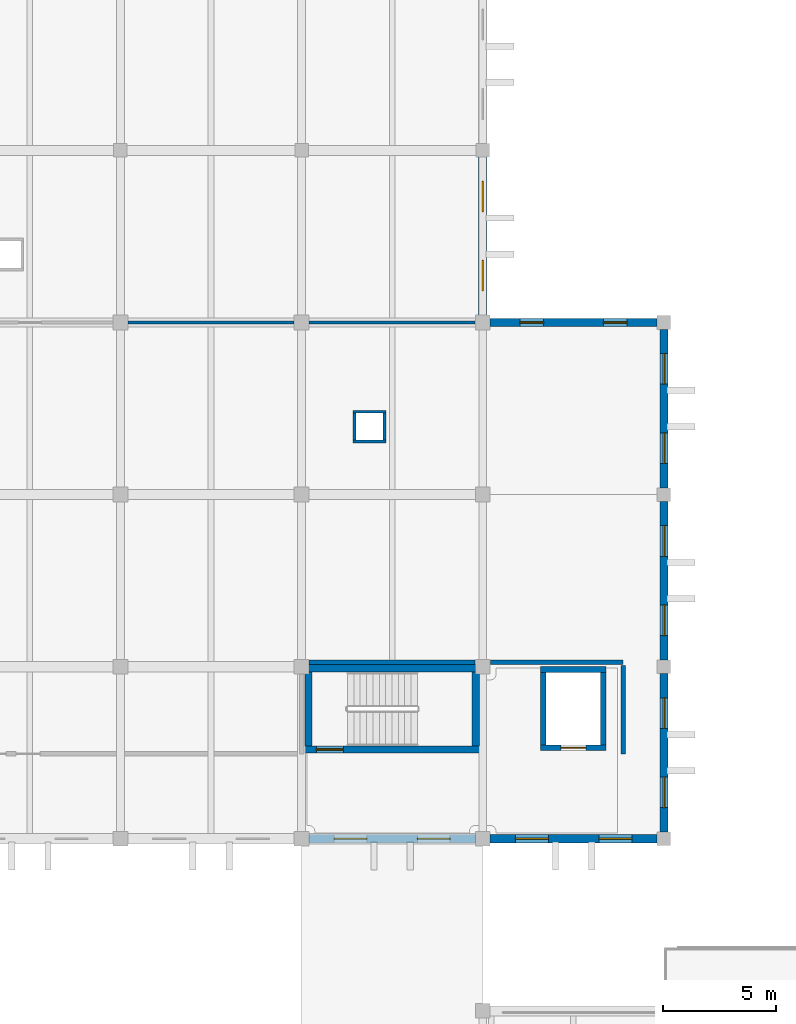
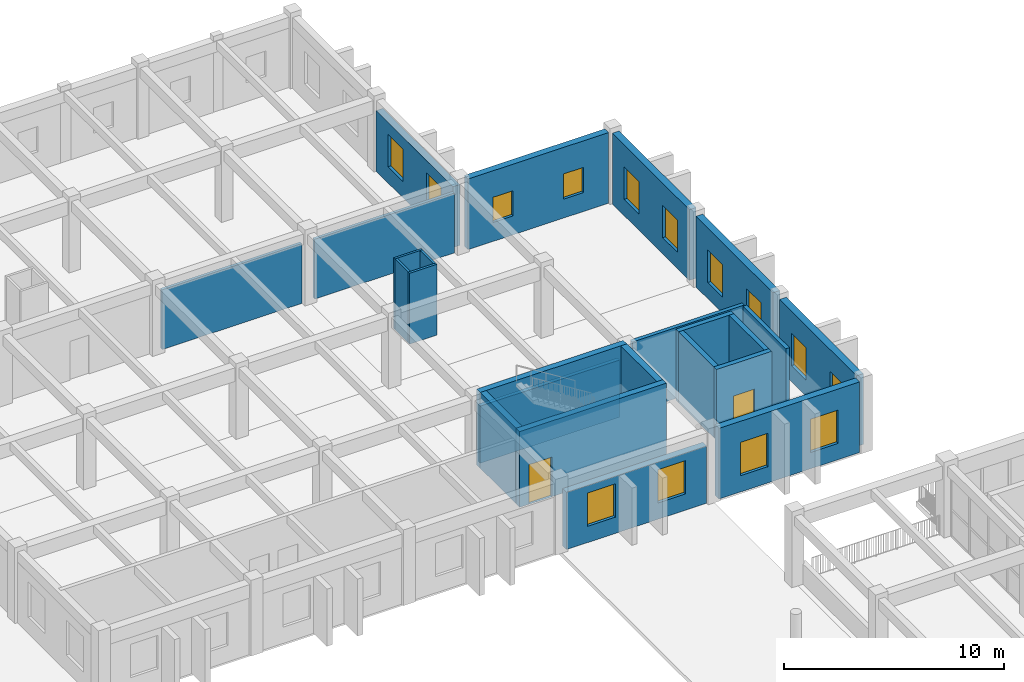
# One storey, part 39 of 63: 24 walls, 14 windows, 2 doors, 16 openings.
"""IFC4 building model written with IfcOpenShell, lengths in metres."""

from ifc_helpers import new_model, si_unit, direction, frame, frame_2d, origin, place, context, subcontext, project, spatial, rectangle, extrude, material, layer, layer_set, type_object, element, fill, save


model = new_model("IFC4")

# Units and contexts
model_context = context("Model", 3, precision=1e-05, world=origin(), true_north=direction((0.0, 1.0)))
body_context = subcontext(model_context, "Body", "Model", "MODEL_VIEW")
ifc_project = project(units=[si_unit("LENGTHUNIT", "METRE"), si_unit("AREAUNIT", "SQUARE_METRE"), si_unit("VOLUMEUNIT", "CUBIC_METRE"), si_unit("PLANEANGLEUNIT", "RADIAN"), si_unit("MASSUNIT", "GRAM", prefix="KILO")], contexts=[model_context])

# Site, building, storey
site_placement = place(None, origin())
site = spatial("IfcSite", under=ifc_project, at=site_placement, CompositionType="ELEMENT")
building_placement = place(site_placement, origin())
building = spatial("IfcBuilding", under=site, at=building_placement, Name="Zantavel Square City Hall", CompositionType="ELEMENT")
storey_placement = place(building_placement, frame((0.0, 0.0, 14.699951171875)))
storey = spatial("IfcBuildingStorey", under=building, at=storey_placement, Name="L04", CompositionType="ELEMENT", Elevation=14.699951171875)

# Wall, opening, door
ifc_material_1 = material(Name="Concrete C40/50", Category="concrete")
ifc_layer_1 = layer(ifc_material_1, 0.320068359375, Name="Concrete C40/50")
ifc_layer_set_1 = layer_set([ifc_layer_1], Name="Concrete C40/50")
wall_type_1 = type_object("IfcWallType", Name="Core Shear Wall RC 320mm C40/50", PredefinedType="SHEAR", material=ifc_layer_set_1)
wall_1_placement = place(storey_placement, frame((55.85009765625, 79.93994140625, 0.0), z_axis=(0.0, 0.0, 1.0), x_axis=(-1.0, 0.0, 0.0)))
wall_1 = element("IfcWall", 1, at=wall_1_placement, inside=storey, type_object=wall_type_1, Name="L04 Exit Stair 1 North-West Core Shear Wall South", PredefinedType="SHEAR", context=body_context, shape_type="SweptSolid", body=[
    extrude(rectangle(XDim=7.7001953125, YDim=0.320068359375, at=frame_2d((3.85009765625, 0.0))), origin(), (0.0, 0.0, 1.0), 4.199951171875),
])
opening_1_placement = place(wall_1_placement, frame((6.0, 0.0, 0.0)))
opening_1 = element("IfcOpeningElement", 2, at=opening_1_placement, cuts=wall_1, Name="Opening SD-005", PredefinedType="OPENING", context=body_context, shape_type="SweptSolid", body=[
    extrude(rectangle(XDim=1.199951171875, YDim=2.199951171875, at=frame_2d((0.60009765625, 1.10009765625))), frame((0.0, 0.169921875, 0.0), z_axis=(0.0, -1.0, 0.0), x_axis=(1.0, 0.0, 0.0)), (0.0, 0.0, 1.0), 0.340087890625),
])
ifc_material_2 = material(Name="Steel ASTM A500 Grade B", Category="steel")
door_type_1 = type_object("IfcDoorType", Name="Enclosed Exit Stairwell Fire Door 1200x2200 FD90S", OperationType="NOTDEFINED", PredefinedType="DOOR", material=ifc_material_2)
door_1_placement = place(opening_1_placement, origin())
door_1 = element("IfcDoor", 3, at=door_1_placement, inside=storey, type_object=door_type_1, Name="L04 Exit Stair 1 North-West Core Fire Door", OperationType="SINGLE_SWING_LEFT", OverallHeight=2.199951171875, OverallWidth=1.199951171875, PredefinedType="DOOR", context=body_context, shape_type="SweptSolid", body=[
    extrude(rectangle(XDim=1.199951171875, YDim=2.199951171875, at=frame_2d((0.60009765625, 1.10009765625))), frame((0.0, 0.02490234375, 0.0), z_axis=(0.0, -1.0, 0.0), x_axis=(1.0, 0.0, 0.0)), (0.0, 0.0, 1.0), 0.050048828125),
])
fill(opening_1, door_1)

# Walls
wall_2_placement = place(storey_placement, frame((48.31005859375, 80.10009765625, 0.0), z_axis=(0.0, 0.0, 1.0), x_axis=(0.0, 1.0, 0.0)))
element("IfcWall", 4, at=wall_2_placement, inside=storey, type_object=wall_type_1, Name="L04 Exit Stair 1 North-West Core Shear Wall West", PredefinedType="SHEAR", context=body_context, shape_type="SweptSolid", body=[
    extrude(rectangle(XDim=3.27001953125, YDim=0.320068359375, at=frame_2d((1.635009765625, 0.0))), origin(), (0.0, 0.0, 1.0), 4.199951171875),
])
wall_3_placement = place(storey_placement, frame((48.14990234375, 83.530029296875, 0.0), z_axis=(0.0, 0.0, 1.0), x_axis=(1.0, 0.0, 0.0)))
element("IfcWall", 5, at=wall_3_placement, inside=storey, type_object=wall_type_1, Name="L04 Exit Stair 1 North-West Core Shear Wall North", PredefinedType="SHEAR", context=body_context, shape_type="SweptSolid", body=[
    extrude(rectangle(XDim=7.7001953125, YDim=0.320068359375, at=frame_2d((3.85009765625, 0.0))), origin(), (0.0, 0.0, 1.0), 4.199951171875),
])
wall_4_placement = place(storey_placement, frame((55.68994140625, 83.3701171875, 0.0), z_axis=(0.0, 0.0, 1.0), x_axis=(0.0, -1.0, 0.0)))
element("IfcWall", 6, at=wall_4_placement, inside=storey, type_object=wall_type_1, Name="L04 Exit Stair 1 North-West Core Shear Wall East", PredefinedType="SHEAR", context=body_context, shape_type="SweptSolid", body=[
    extrude(rectangle(XDim=3.27001953125, YDim=0.320068359375, at=frame_2d((1.635009765625, 0.0))), origin(), (0.0, 0.0, 1.0), 4.199951171875),
])

# Wall, openings, windows
ifc_material_3 = material(Name="Cantera volcanic tuff stone", Category="masonry")
ifc_layer_2 = layer(ifc_material_3, 0.360107421875, Name="Cantera volcanic tuff stone")
ifc_layer_set_2 = layer_set([ifc_layer_2], Name="Cantera volcanic tuff stone")
wall_type_2 = type_object("IfcWallType", Name="Courtyard Cantera Facade Wall 360mm", PredefinedType="STANDARD", material=ifc_layer_set_2)
wall_5_placement = place(storey_placement, frame((56.0, 106.10009765625, 0.0), z_axis=(0.0, 0.0, 1.0), x_axis=(0.0, -1.0, 0.0)))
wall_5 = element("IfcWall", 7, at=wall_5_placement, inside=storey, type_object=wall_type_2, Name="L04 Exterior Wall EW-L04-030", PredefinedType="STANDARD", context=body_context, shape_type="SweptSolid", body=[
    extrude(rectangle(XDim=6.97509765625, YDim=0.360107421875, at=frame_2d((3.487548828125, 0.0))), origin(), (0.0, 0.0, 1.0), 3.3701171875),
])
opening_2_placement = place(wall_5_placement, frame((1.068603515625, 0.0, 0.89990234375)))
opening_2 = element("IfcOpeningElement", 8, at=opening_2_placement, cuts=wall_5, Name="Opening W-438", PredefinedType="OPENING", context=body_context, shape_type="SweptSolid", body=[
    extrude(rectangle(XDim=1.35009765625, YDim=1.800048828125, at=frame_2d((0.675048828125, 0.89990234375))), frame((0.0, 0.18994140625, 0.0), z_axis=(0.0, -1.0, 0.0), x_axis=(1.0, 0.0, 0.0)), (0.0, 0.0, 1.0), 0.380126953125),
])
opening_3_placement = place(wall_5_placement, frame((4.55615234375, 0.0, 0.89990234375)))
opening_3 = element("IfcOpeningElement", 9, at=opening_3_placement, cuts=wall_5, Name="Opening W-439", PredefinedType="OPENING", context=body_context, shape_type="SweptSolid", body=[
    extrude(rectangle(XDim=1.35009765625, YDim=1.800048828125, at=frame_2d((0.675048828125, 0.89990234375))), frame((0.0, 0.18994140625, 0.0), z_axis=(0.0, -1.0, 0.0), x_axis=(1.0, 0.0, 0.0)), (0.0, 0.0, 1.0), 0.380126953125),
])
ifc_material_4 = material(Name="Tempered safety glass low-E double glazing", Category="glass")
window_type_1 = type_object("IfcWindowType", Name="Window Comptroller East 1350x1800", PartitioningType="DOUBLE_PANEL_HORIZONTAL", PredefinedType="WINDOW", material=ifc_material_4)
window_1_placement = place(opening_2_placement, origin())
window_1 = element("IfcWindow", 10, at=window_1_placement, inside=storey, type_object=window_type_1, Name="L04 Window W-438", OverallHeight=1.800048828125, OverallWidth=1.35009765625, PartitioningType="DOUBLE_PANEL_HORIZONTAL", PredefinedType="WINDOW", context=body_context, shape_type="SweptSolid", body=[
    extrude(rectangle(XDim=1.35009765625, YDim=1.800048828125, at=frame_2d((0.675048828125, 0.89990234375))), frame((0.0, 0.030029296875, 0.0), z_axis=(0.0, -1.0, 0.0), x_axis=(1.0, 0.0, 0.0)), (0.0, 0.0, 1.0), 0.06005859375),
])
fill(opening_2, window_1)
window_2_placement = place(opening_3_placement, origin())
window_2 = element("IfcWindow", 11, at=window_2_placement, inside=storey, type_object=window_type_1, Name="L04 Window W-439", OverallHeight=1.800048828125, OverallWidth=1.35009765625, PartitioningType="DOUBLE_PANEL_HORIZONTAL", PredefinedType="WINDOW", context=body_context, shape_type="SweptSolid", body=[
    extrude(rectangle(XDim=1.35009765625, YDim=1.800048828125, at=frame_2d((0.675048828125, 0.89990234375))), frame((0.0, 0.030029296875, 0.0), z_axis=(0.0, -1.0, 0.0), x_axis=(1.0, 0.0, 0.0)), (0.0, 0.0, 1.0), 0.06005859375),
])
fill(opening_3, window_2)

wall_6_placement = place(storey_placement, frame((64.0, 98.5, 0.0), z_axis=(0.0, 0.0, 1.0), x_axis=(0.0, -1.0, 0.0)))
wall_6 = element("IfcWall", 12, at=wall_6_placement, inside=storey, type_object=wall_type_2, Name="L04 Exterior Wall EW-L04-032", PredefinedType="STANDARD", context=body_context, shape_type="SweptSolid", body=[
    extrude(rectangle(XDim=7.0, YDim=0.360107421875, at=frame_2d((3.5, 0.0))), origin(), (0.0, 0.0, 1.0), 3.920166015625),
])
opening_4_placement = place(wall_6_placement, frame((1.074951171875, 0.0, 0.89990234375)))
opening_4 = element("IfcOpeningElement", 13, at=opening_4_placement, cuts=wall_6, Name="Opening W-442", PredefinedType="OPENING", context=body_context, shape_type="SweptSolid", body=[
    extrude(rectangle(XDim=1.35009765625, YDim=1.800048828125, at=frame_2d((0.675048828125, 0.89990234375))), frame((0.0, 0.18994140625, 0.0), z_axis=(0.0, -1.0, 0.0), x_axis=(1.0, 0.0, 0.0)), (0.0, 0.0, 1.0), 0.380126953125),
])
opening_5_placement = place(wall_6_placement, frame((4.574951171875, 0.0, 0.89990234375)))
opening_5 = element("IfcOpeningElement", 14, at=opening_5_placement, cuts=wall_6, Name="Opening W-443", PredefinedType="OPENING", context=body_context, shape_type="SweptSolid", body=[
    extrude(rectangle(XDim=1.35009765625, YDim=1.800048828125, at=frame_2d((0.675048828125, 0.89990234375))), frame((0.0, 0.18994140625, 0.0), z_axis=(0.0, -1.0, 0.0), x_axis=(1.0, 0.0, 0.0)), (0.0, 0.0, 1.0), 0.380126953125),
])
window_3_placement = place(opening_4_placement, origin())
window_3 = element("IfcWindow", 15, at=window_3_placement, inside=storey, type_object=window_type_1, Name="L04 Window W-442", OverallHeight=1.800048828125, OverallWidth=1.35009765625, PartitioningType="DOUBLE_PANEL_HORIZONTAL", PredefinedType="WINDOW", context=body_context, shape_type="SweptSolid", body=[
    extrude(rectangle(XDim=1.35009765625, YDim=1.800048828125, at=frame_2d((0.675048828125, 0.89990234375))), frame((0.0, 0.030029296875, 0.0), z_axis=(0.0, -1.0, 0.0), x_axis=(1.0, 0.0, 0.0)), (0.0, 0.0, 1.0), 0.06005859375),
])
fill(opening_4, window_3)
window_4_placement = place(opening_5_placement, origin())
window_4 = element("IfcWindow", 16, at=window_4_placement, inside=storey, type_object=window_type_1, Name="L04 Window W-443", OverallHeight=1.800048828125, OverallWidth=1.35009765625, PartitioningType="DOUBLE_PANEL_HORIZONTAL", PredefinedType="WINDOW", context=body_context, shape_type="SweptSolid", body=[
    extrude(rectangle(XDim=1.35009765625, YDim=1.800048828125, at=frame_2d((0.675048828125, 0.89990234375))), frame((0.0, 0.030029296875, 0.0), z_axis=(0.0, -1.0, 0.0), x_axis=(1.0, 0.0, 0.0)), (0.0, 0.0, 1.0), 0.06005859375),
])
fill(opening_5, window_4)

wall_7_placement = place(storey_placement, frame((64.0, 90.89990234375, 0.0), z_axis=(0.0, 0.0, 1.0), x_axis=(0.0, -1.0, 0.0)))
wall_7 = element("IfcWall", 17, at=wall_7_placement, inside=storey, type_object=wall_type_2, Name="L04 Exterior Wall EW-L04-033", PredefinedType="STANDARD", context=body_context, shape_type="SweptSolid", body=[
    extrude(rectangle(XDim=7.0, YDim=0.360107421875, at=frame_2d((3.5, 0.0))), origin(), (0.0, 0.0, 1.0), 3.920166015625),
])
opening_6_placement = place(wall_7_placement, frame((1.074951171875, 0.0, 0.89990234375)))
opening_6 = element("IfcOpeningElement", 18, at=opening_6_placement, cuts=wall_7, Name="Opening W-444", PredefinedType="OPENING", context=body_context, shape_type="SweptSolid", body=[
    extrude(rectangle(XDim=1.35009765625, YDim=1.800048828125, at=frame_2d((0.675048828125, 0.89990234375))), frame((0.0, 0.18994140625, 0.0), z_axis=(0.0, -1.0, 0.0), x_axis=(1.0, 0.0, 0.0)), (0.0, 0.0, 1.0), 0.380126953125),
])
opening_7_placement = place(wall_7_placement, frame((4.574951171875, 0.0, 0.89990234375)))
opening_7 = element("IfcOpeningElement", 19, at=opening_7_placement, cuts=wall_7, Name="Opening W-445", PredefinedType="OPENING", context=body_context, shape_type="SweptSolid", body=[
    extrude(rectangle(XDim=1.35009765625, YDim=1.800048828125, at=frame_2d((0.675048828125, 0.89990234375))), frame((0.0, 0.18994140625, 0.0), z_axis=(0.0, -1.0, 0.0), x_axis=(1.0, 0.0, 0.0)), (0.0, 0.0, 1.0), 0.380126953125),
])
window_5_placement = place(opening_6_placement, origin())
window_5 = element("IfcWindow", 20, at=window_5_placement, inside=storey, type_object=window_type_1, Name="L04 Window W-444", OverallHeight=1.800048828125, OverallWidth=1.35009765625, PartitioningType="DOUBLE_PANEL_HORIZONTAL", PredefinedType="WINDOW", context=body_context, shape_type="SweptSolid", body=[
    extrude(rectangle(XDim=1.35009765625, YDim=1.800048828125, at=frame_2d((0.675048828125, 0.89990234375))), frame((0.0, 0.030029296875, 0.0), z_axis=(0.0, -1.0, 0.0), x_axis=(1.0, 0.0, 0.0)), (0.0, 0.0, 1.0), 0.06005859375),
])
fill(opening_6, window_5)
window_6_placement = place(opening_7_placement, origin())
window_6 = element("IfcWindow", 21, at=window_6_placement, inside=storey, type_object=window_type_1, Name="L04 Window W-445", OverallHeight=1.800048828125, OverallWidth=1.35009765625, PartitioningType="DOUBLE_PANEL_HORIZONTAL", PredefinedType="WINDOW", context=body_context, shape_type="SweptSolid", body=[
    extrude(rectangle(XDim=1.35009765625, YDim=1.800048828125, at=frame_2d((0.675048828125, 0.89990234375))), frame((0.0, 0.030029296875, 0.0), z_axis=(0.0, -1.0, 0.0), x_axis=(1.0, 0.0, 0.0)), (0.0, 0.0, 1.0), 0.06005859375),
])
fill(opening_7, window_6)

wall_8_placement = place(storey_placement, frame((64.0, 83.300048828125, 0.0), z_axis=(0.0, 0.0, 1.0), x_axis=(0.0, -1.0, 0.0)))
wall_8 = element("IfcWall", 22, at=wall_8_placement, inside=storey, type_object=wall_type_2, Name="L04 Exterior Wall EW-L04-034", PredefinedType="STANDARD", context=body_context, shape_type="SweptSolid", body=[
    extrude(rectangle(XDim=7.0, YDim=0.360107421875, at=frame_2d((3.5, 0.0))), origin(), (0.0, 0.0, 1.0), 3.920166015625),
])
opening_8_placement = place(wall_8_placement, frame((1.074951171875, 0.0, 0.89990234375)))
opening_8 = element("IfcOpeningElement", 23, at=opening_8_placement, cuts=wall_8, Name="Opening W-446", PredefinedType="OPENING", context=body_context, shape_type="SweptSolid", body=[
    extrude(rectangle(XDim=1.35009765625, YDim=1.800048828125, at=frame_2d((0.675048828125, 0.89990234375))), frame((0.0, 0.18994140625, 0.0), z_axis=(0.0, -1.0, 0.0), x_axis=(1.0, 0.0, 0.0)), (0.0, 0.0, 1.0), 0.380126953125),
])
opening_9_placement = place(wall_8_placement, frame((4.574951171875, 0.0, 0.89990234375)))
opening_9 = element("IfcOpeningElement", 24, at=opening_9_placement, cuts=wall_8, Name="Opening W-447", PredefinedType="OPENING", context=body_context, shape_type="SweptSolid", body=[
    extrude(rectangle(XDim=1.35009765625, YDim=1.800048828125, at=frame_2d((0.675048828125, 0.89990234375))), frame((0.0, 0.18994140625, 0.0), z_axis=(0.0, -1.0, 0.0), x_axis=(1.0, 0.0, 0.0)), (0.0, 0.0, 1.0), 0.380126953125),
])
window_7_placement = place(opening_8_placement, origin())
window_7 = element("IfcWindow", 25, at=window_7_placement, inside=storey, type_object=window_type_1, Name="L04 Window W-446", OverallHeight=1.800048828125, OverallWidth=1.35009765625, PartitioningType="DOUBLE_PANEL_HORIZONTAL", PredefinedType="WINDOW", context=body_context, shape_type="SweptSolid", body=[
    extrude(rectangle(XDim=1.35009765625, YDim=1.800048828125, at=frame_2d((0.675048828125, 0.89990234375))), frame((0.0, 0.030029296875, 0.0), z_axis=(0.0, -1.0, 0.0), x_axis=(1.0, 0.0, 0.0)), (0.0, 0.0, 1.0), 0.06005859375),
])
fill(opening_8, window_7)
window_8_placement = place(opening_9_placement, origin())
window_8 = element("IfcWindow", 26, at=window_8_placement, inside=storey, type_object=window_type_1, Name="L04 Window W-447", OverallHeight=1.800048828125, OverallWidth=1.35009765625, PartitioningType="DOUBLE_PANEL_HORIZONTAL", PredefinedType="WINDOW", context=body_context, shape_type="SweptSolid", body=[
    extrude(rectangle(XDim=1.35009765625, YDim=1.800048828125, at=frame_2d((0.675048828125, 0.89990234375))), frame((0.0, 0.030029296875, 0.0), z_axis=(0.0, -1.0, 0.0), x_axis=(1.0, 0.0, 0.0)), (0.0, 0.0, 1.0), 0.06005859375),
])
fill(opening_9, window_8)

wall_9_placement = place(storey_placement, frame((63.699951171875, 76.0, 0.0), z_axis=(0.0, 0.0, 1.0), x_axis=(-1.0, 0.0, 0.0)))
wall_9 = element("IfcWall", 27, at=wall_9_placement, inside=storey, type_object=wall_type_2, Name="L04 Exterior Wall EW-L04-035", PredefinedType="STANDARD", context=body_context, shape_type="SweptSolid", body=[
    extrude(rectangle(XDim=7.375, YDim=0.360107421875, at=frame_2d((3.6875, 0.0))), origin(), (0.0, 0.0, 1.0), 3.920166015625),
])
opening_10_placement = place(wall_9_placement, frame((1.11865234375, 0.0, 0.89990234375)))
opening_10 = element("IfcOpeningElement", 28, at=opening_10_placement, cuts=wall_9, Name="Opening W-448", PredefinedType="OPENING", context=body_context, shape_type="SweptSolid", body=[
    extrude(rectangle(XDim=1.449951171875, YDim=1.85009765625, at=frame_2d((0.72509765625, 0.925048828125))), frame((0.0, 0.18994140625, 0.0), z_axis=(0.0, -1.0, 0.0), x_axis=(1.0, 0.0, 0.0)), (0.0, 0.0, 1.0), 0.380126953125),
])
opening_11_placement = place(wall_9_placement, frame((4.806396484375, 0.0, 0.89990234375)))
opening_11 = element("IfcOpeningElement", 29, at=opening_11_placement, cuts=wall_9, Name="Opening W-449", PredefinedType="OPENING", context=body_context, shape_type="SweptSolid", body=[
    extrude(rectangle(XDim=1.449951171875, YDim=1.85009765625, at=frame_2d((0.72509765625, 0.925048828125))), frame((0.0, 0.18994140625, 0.0), z_axis=(0.0, -1.0, 0.0), x_axis=(1.0, 0.0, 0.0)), (0.0, 0.0, 1.0), 0.380126953125),
])
window_type_2 = type_object("IfcWindowType", Name="Window Secretariat South 1450x1850", PartitioningType="DOUBLE_PANEL_VERTICAL", PredefinedType="WINDOW", material=ifc_material_4)
window_9_placement = place(opening_10_placement, origin())
window_9 = element("IfcWindow", 30, at=window_9_placement, inside=storey, type_object=window_type_2, Name="L04 Window W-448", OverallHeight=1.85009765625, OverallWidth=1.449951171875, PartitioningType="DOUBLE_PANEL_VERTICAL", PredefinedType="WINDOW", context=body_context, shape_type="SweptSolid", body=[
    extrude(rectangle(XDim=1.449951171875, YDim=1.85009765625, at=frame_2d((0.72509765625, 0.925048828125))), frame((0.0, 0.030029296875, 0.0), z_axis=(0.0, -1.0, 0.0), x_axis=(1.0, 0.0, 0.0)), (0.0, 0.0, 1.0), 0.06005859375),
])
fill(opening_10, window_9)
window_10_placement = place(opening_11_placement, origin())
window_10 = element("IfcWindow", 31, at=window_10_placement, inside=storey, type_object=window_type_2, Name="L04 Window W-449", OverallHeight=1.85009765625, OverallWidth=1.449951171875, PartitioningType="DOUBLE_PANEL_VERTICAL", PredefinedType="WINDOW", context=body_context, shape_type="SweptSolid", body=[
    extrude(rectangle(XDim=1.449951171875, YDim=1.85009765625, at=frame_2d((0.72509765625, 0.925048828125))), frame((0.0, 0.030029296875, 0.0), z_axis=(0.0, -1.0, 0.0), x_axis=(1.0, 0.0, 0.0)), (0.0, 0.0, 1.0), 0.06005859375),
])
fill(opening_11, window_10)

wall_10_placement = place(storey_placement, frame((55.675048828125, 76.0, 0.0), z_axis=(0.0, 0.0, 1.0), x_axis=(-1.0, 0.0, 0.0)))
wall_10 = element("IfcWall", 32, at=wall_10_placement, inside=storey, type_object=wall_type_2, Name="L04 Exterior Wall EW-L04-036", PredefinedType="STANDARD", context=body_context, shape_type="SweptSolid", body=[
    extrude(rectangle(XDim=7.35009765625, YDim=0.360107421875, at=frame_2d((3.675048828125, 0.0))), origin(), (0.0, 0.0, 1.0), 3.170166015625),
])
opening_12_placement = place(wall_10_placement, frame((1.112548828125, 0.0, 0.89990234375)))
opening_12 = element("IfcOpeningElement", 33, at=opening_12_placement, cuts=wall_10, Name="Opening W-450", PredefinedType="OPENING", context=body_context, shape_type="SweptSolid", body=[
    extrude(rectangle(XDim=1.449951171875, YDim=1.85009765625, at=frame_2d((0.72509765625, 0.925048828125))), frame((0.0, 0.18994140625, 0.0), z_axis=(0.0, -1.0, 0.0), x_axis=(1.0, 0.0, 0.0)), (0.0, 0.0, 1.0), 0.380126953125),
])
opening_13_placement = place(wall_10_placement, frame((4.78759765625, 0.0, 0.89990234375)))
opening_13 = element("IfcOpeningElement", 34, at=opening_13_placement, cuts=wall_10, Name="Opening W-451", PredefinedType="OPENING", context=body_context, shape_type="SweptSolid", body=[
    extrude(rectangle(XDim=1.449951171875, YDim=1.85009765625, at=frame_2d((0.72509765625, 0.925048828125))), frame((0.0, 0.18994140625, 0.0), z_axis=(0.0, -1.0, 0.0), x_axis=(1.0, 0.0, 0.0)), (0.0, 0.0, 1.0), 0.380126953125),
])
window_11_placement = place(opening_12_placement, origin())
window_11 = element("IfcWindow", 35, at=window_11_placement, inside=storey, type_object=window_type_2, Name="L04 Window W-450", OverallHeight=1.85009765625, OverallWidth=1.449951171875, PartitioningType="DOUBLE_PANEL_VERTICAL", PredefinedType="WINDOW", context=body_context, shape_type="SweptSolid", body=[
    extrude(rectangle(XDim=1.449951171875, YDim=1.85009765625, at=frame_2d((0.72509765625, 0.925048828125))), frame((0.0, 0.030029296875, 0.0), z_axis=(0.0, -1.0, 0.0), x_axis=(1.0, 0.0, 0.0)), (0.0, 0.0, 1.0), 0.06005859375),
])
fill(opening_12, window_11)
window_12_placement = place(opening_13_placement, origin())
window_12 = element("IfcWindow", 36, at=window_12_placement, inside=storey, type_object=window_type_2, Name="L04 Window W-451", OverallHeight=1.85009765625, OverallWidth=1.449951171875, PartitioningType="DOUBLE_PANEL_VERTICAL", PredefinedType="WINDOW", context=body_context, shape_type="SweptSolid", body=[
    extrude(rectangle(XDim=1.449951171875, YDim=1.85009765625, at=frame_2d((0.72509765625, 0.925048828125))), frame((0.0, 0.030029296875, 0.0), z_axis=(0.0, -1.0, 0.0), x_axis=(1.0, 0.0, 0.0)), (0.0, 0.0, 1.0), 0.06005859375),
])
fill(opening_13, window_12)

# Walls
ifc_material_5 = material(Name="Gypsum acoustic stud assembly", Category="masonry")
ifc_layer_3 = layer(ifc_material_5, 0.14990234375, Name="Gypsum acoustic stud assembly")
ifc_layer_set_3 = layer_set([ifc_layer_3], Name="Gypsum acoustic stud assembly")
wall_type_3 = type_object("IfcWallType", Name="Department Office Partition 150mm", PredefinedType="PARTITIONING", material=ifc_layer_set_3)
for number, where, z_axis, x_axis, name in (
    (37, (40.3349609375, 98.800048828125, 0.0), (0.0, 0.0, 1.0), (1.0, 0.0, 0.0), "L04 Interior Wall IW-L04-0328"),
    (38, (48.3349609375, 98.800048828125, 0.0), (0.0, 0.0, 1.0), (1.0, 0.0, 0.0), "L04 Interior Wall IW-L04-0329"),
):
    element("IfcWall", number, at=place(storey_placement, frame(where, z_axis=z_axis, x_axis=x_axis)), inside=storey, type_object=wall_type_3, Name=name, PredefinedType="PARTITIONING", context=body_context, shape_type="SweptSolid", body=[
        extrude(rectangle(XDim=7.330078125, YDim=0.14990234375, at=frame_2d((3.6650390625, 0.0))), origin(), (0.0, 0.0, 1.0), 3.320068359375),
    ])
ifc_layer_4 = layer(ifc_material_3, 0.199951171875, Name="Cantera volcanic tuff stone")
ifc_layer_set_4 = layer_set([ifc_layer_4], Name="Cantera volcanic tuff stone")
wall_type_4 = type_object("IfcWallType", Name="Exit Corridor Rated Wall 200mm", PredefinedType="STANDARD", material=ifc_layer_set_4)
wall_11_placement = place(storey_placement, frame((48.3349609375, 83.800048828125, 0.0), z_axis=(0.0, 0.0, 1.0), x_axis=(1.0, 0.0, 0.0)))
element("IfcWall", 39, at=wall_11_placement, inside=storey, type_object=wall_type_4, Name="L04 Interior Wall IW-L04-0299", PredefinedType="STANDARD", context=body_context, shape_type="SweptSolid", body=[
    extrude(rectangle(XDim=7.330078125, YDim=0.199951171875, at=frame_2d((3.6650390625, 0.0))), origin(), (0.0, 0.0, 1.0), 3.170166015625),
])
wall_12_placement = place(storey_placement, frame((56.3349609375, 83.800048828125, 0.0), z_axis=(0.0, 0.0, 1.0), x_axis=(1.0, 0.0, 0.0)))
element("IfcWall", 40, at=wall_12_placement, inside=storey, type_object=wall_type_4, Name="L04 Interior Wall IW-L04-0300", PredefinedType="STANDARD", context=body_context, shape_type="SweptSolid", body=[
    extrude(rectangle(XDim=5.864990234375, YDim=0.199951171875, at=frame_2d((2.9326171875, 0.0))), origin(), (0.0, 0.0, 1.0), 3.929931640625),
])
wall_13_placement = place(storey_placement, frame((62.199951171875, 83.64990234375, 0.0), z_axis=(0.0, 0.0, 1.0), x_axis=(0.0, -1.0, 0.0)))
element("IfcWall", 41, at=wall_13_placement, inside=storey, type_object=wall_type_4, Name="L04 Interior Wall IW-L04-0301", PredefinedType="STANDARD", context=body_context, shape_type="SweptSolid", body=[
    extrude(rectangle(XDim=3.89990234375, YDim=0.199951171875, at=frame_2d((1.949951171875, 0.0))), origin(), (0.0, 0.0, 1.0), 3.929931640625),
])

# Wall, opening, door
ifc_layer_5 = layer(ifc_material_1, 0.25, Name="Concrete C40/50")
ifc_layer_set_5 = layer_set([ifc_layer_5], Name="Concrete C40/50")
wall_type_5 = type_object("IfcWallType", Name="Lift Shaft Wall RC 250mm C40/50", PredefinedType="SHEAR", material=ifc_layer_set_5)
wall_14_placement = place(storey_placement, frame((61.449951171875, 80.02490234375, 0.0), z_axis=(0.0, 0.0, 1.0), x_axis=(-1.0, 0.0, 0.0)))
wall_14 = element("IfcWall", 42, at=wall_14_placement, inside=storey, type_object=wall_type_5, Name="L04 Lift LF05 Shaft Wall South", PredefinedType="SHEAR", context=body_context, shape_type="SweptSolid", body=[
    extrude(rectangle(XDim=2.89990234375, YDim=0.25, at=frame_2d((1.449951171875, 0.0))), origin(), (0.0, 0.0, 1.0), 3.929931640625),
])
opening_14_placement = place(wall_14_placement, frame((0.89990234375, 0.0, 0.0)))
opening_14 = element("IfcOpeningElement", 43, at=opening_14_placement, cuts=wall_14, Name="Opening LD-LF05-L04", PredefinedType="OPENING", context=body_context, shape_type="SweptSolid", body=[
    extrude(rectangle(XDim=1.10009765625, YDim=2.14990234375, at=frame_2d((0.550048828125, 1.074951171875))), frame((0.0, 0.135009765625, 0.0), z_axis=(0.0, -1.0, 0.0), x_axis=(1.0, 0.0, 0.0)), (0.0, 0.0, 1.0), 0.27001953125),
])
ifc_material_6 = material(Name="Stainless steel 316", Category="steel")
door_type_2 = type_object("IfcDoorType", Name="Lift Landing Sliding Door 1100x2150 FD90S", OperationType="NOTDEFINED", PredefinedType="DOOR", material=ifc_material_6)
door_2_placement = place(opening_14_placement, origin())
door_2 = element("IfcDoor", 44, at=door_2_placement, inside=storey, type_object=door_type_2, Name="L04 Lift LF05 Sliding Landing Door", OperationType="DOUBLE_DOOR_SLIDING", OverallHeight=2.14990234375, OverallWidth=1.10009765625, PredefinedType="DOOR", context=body_context, shape_type="SweptSolid", body=[
    extrude(rectangle(XDim=1.10009765625, YDim=2.14990234375, at=frame_2d((0.550048828125, 1.074951171875))), frame((0.0, 0.02490234375, 0.0), z_axis=(0.0, -1.0, 0.0), x_axis=(1.0, 0.0, 0.0)), (0.0, 0.0, 1.0), 0.050048828125),
])
fill(opening_14, door_2)

# Walls
wall_15_placement = place(storey_placement, frame((58.675048828125, 80.14990234375, 0.0), z_axis=(0.0, 0.0, 1.0), x_axis=(0.0, 1.0, 0.0)))
element("IfcWall", 45, at=wall_15_placement, inside=storey, type_object=wall_type_5, Name="L04 Lift LF05 Shaft Wall West", PredefinedType="SHEAR", context=body_context, shape_type="SweptSolid", body=[
    extrude(rectangle(XDim=3.2001953125, YDim=0.25, at=frame_2d((1.60009765625, 0.0))), origin(), (0.0, 0.0, 1.0), 3.929931640625),
])
wall_16_placement = place(storey_placement, frame((58.550048828125, 83.47509765625, 0.0), z_axis=(0.0, 0.0, 1.0), x_axis=(1.0, 0.0, 0.0)))
element("IfcWall", 46, at=wall_16_placement, inside=storey, type_object=wall_type_5, Name="L04 Lift LF05 Shaft Wall North", PredefinedType="SHEAR", context=body_context, shape_type="SweptSolid", body=[
    extrude(rectangle(XDim=2.89990234375, YDim=0.25, at=frame_2d((1.449951171875, 0.0))), origin(), (0.0, 0.0, 1.0), 3.929931640625),
])
wall_17_placement = place(storey_placement, frame((61.324951171875, 83.35009765625, 0.0), z_axis=(0.0, 0.0, 1.0), x_axis=(0.0, -1.0, 0.0)))
element("IfcWall", 47, at=wall_17_placement, inside=storey, type_object=wall_type_5, Name="L04 Lift LF05 Shaft Wall East", PredefinedType="SHEAR", context=body_context, shape_type="SweptSolid", body=[
    extrude(rectangle(XDim=3.2001953125, YDim=0.25, at=frame_2d((1.60009765625, 0.0))), origin(), (0.0, 0.0, 1.0), 3.929931640625),
])

# Wall, openings, windows
ifc_layer_6 = layer(ifc_material_3, 0.340087890625, Name="Cantera volcanic tuff stone")
ifc_layer_set_6 = layer_set([ifc_layer_6], Name="Cantera volcanic tuff stone")
wall_type_6 = type_object("IfcWallType", Name="North Insulated Cantera Wall 340mm", PredefinedType="STANDARD", material=ifc_layer_set_6)
wall_18_placement = place(storey_placement, frame((56.324951171875, 98.800048828125, 0.0), z_axis=(0.0, 0.0, 1.0), x_axis=(1.0, 0.0, 0.0)))
wall_18 = element("IfcWall", 48, at=wall_18_placement, inside=storey, type_object=wall_type_6, Name="L04 Exterior Wall EW-L04-031", PredefinedType="STANDARD", context=body_context, shape_type="SweptSolid", body=[
    extrude(rectangle(XDim=7.375, YDim=0.340087890625, at=frame_2d((3.6875, 0.0))), origin(), (0.0, 0.0, 1.0), 3.920166015625),
])
opening_15_placement = place(wall_18_placement, frame((1.31884765625, 0.0, 1.050048828125)))
opening_15 = element("IfcOpeningElement", 49, at=opening_15_placement, cuts=wall_18, Name="Opening W-440", PredefinedType="OPENING", context=body_context, shape_type="SweptSolid", body=[
    extrude(rectangle(XDim=1.050048828125, YDim=1.39990234375, at=frame_2d((0.52490234375, 0.699951171875))), frame((0.0, 0.179931640625, 0.0), z_axis=(0.0, -1.0, 0.0), x_axis=(1.0, 0.0, 0.0)), (0.0, 0.0, 1.0), 0.360107421875),
])
opening_16_placement = place(wall_18_placement, frame((5.006103515625, 0.0, 1.050048828125)))
opening_16 = element("IfcOpeningElement", 50, at=opening_16_placement, cuts=wall_18, Name="Opening W-441", PredefinedType="OPENING", context=body_context, shape_type="SweptSolid", body=[
    extrude(rectangle(XDim=1.050048828125, YDim=1.39990234375, at=frame_2d((0.52490234375, 0.699951171875))), frame((0.0, 0.179931640625, 0.0), z_axis=(0.0, -1.0, 0.0), x_axis=(1.0, 0.0, 0.0)), (0.0, 0.0, 1.0), 0.360107421875),
])
window_type_3 = type_object("IfcWindowType", Name="Window C4 Command North 1050x1400", PartitioningType="SINGLE_PANEL", PredefinedType="WINDOW", material=ifc_material_4)
window_13_placement = place(opening_15_placement, origin())
window_13 = element("IfcWindow", 51, at=window_13_placement, inside=storey, type_object=window_type_3, Name="L04 Window W-440", OverallHeight=1.39990234375, OverallWidth=1.050048828125, PartitioningType="SINGLE_PANEL", PredefinedType="WINDOW", context=body_context, shape_type="SweptSolid", body=[
    extrude(rectangle(XDim=1.050048828125, YDim=1.39990234375, at=frame_2d((0.52490234375, 0.699951171875))), frame((0.0, 0.030029296875, 0.0), z_axis=(0.0, -1.0, 0.0), x_axis=(1.0, 0.0, 0.0)), (0.0, 0.0, 1.0), 0.06005859375),
])
fill(opening_15, window_13)
window_14_placement = place(opening_16_placement, origin())
window_14 = element("IfcWindow", 52, at=window_14_placement, inside=storey, type_object=window_type_3, Name="L04 Window W-441", OverallHeight=1.39990234375, OverallWidth=1.050048828125, PartitioningType="SINGLE_PANEL", PredefinedType="WINDOW", context=body_context, shape_type="SweptSolid", body=[
    extrude(rectangle(XDim=1.050048828125, YDim=1.39990234375, at=frame_2d((0.52490234375, 0.699951171875))), frame((0.0, 0.030029296875, 0.0), z_axis=(0.0, -1.0, 0.0), x_axis=(1.0, 0.0, 0.0)), (0.0, 0.0, 1.0), 0.06005859375),
])
fill(opening_16, window_14)

# Walls
ifc_material_7 = material(Name="Concrete C35/45", Category="concrete")
ifc_layer_7 = layer(ifc_material_7, 0.1201171875, Name="Concrete C35/45")
ifc_layer_set_7 = layer_set([ifc_layer_7], Name="Concrete C35/45")
wall_type_7 = type_object("IfcWallType", Name="Riser Chase Wall RC 120mm C35/45", PredefinedType="PARTITIONING", material=ifc_layer_set_7)
wall_19_placement = place(storey_placement, frame((51.719970703125, 93.5400390625, 0.0), z_axis=(0.0, 0.0, 1.0), x_axis=(-1.0, 0.0, 0.0)))
element("IfcWall", 53, at=wall_19_placement, inside=storey, type_object=wall_type_7, Name="L04 MEP Riser 08 Wall S", PredefinedType="PARTITIONING", context=body_context, shape_type="SweptSolid", body=[
    extrude(rectangle(XDim=1.43994140625, YDim=0.1201171875, at=frame_2d((0.719970703125, 0.0))), origin(), (0.0, 0.0, 1.0), 3.929931640625),
])
wall_20_placement = place(storey_placement, frame((50.340087890625, 93.60009765625, 0.0), z_axis=(0.0, 0.0, 1.0), x_axis=(0.0, 1.0, 0.0)))
element("IfcWall", 54, at=wall_20_placement, inside=storey, type_object=wall_type_7, Name="L04 MEP Riser 08 Wall W", PredefinedType="PARTITIONING", context=body_context, shape_type="SweptSolid", body=[
    extrude(rectangle(XDim=1.199951171875, YDim=0.1201171875, at=frame_2d((0.60009765625, 0.0))), origin(), (0.0, 0.0, 1.0), 3.929931640625),
])
wall_21_placement = place(storey_placement, frame((50.280029296875, 94.860107421875, 0.0), z_axis=(0.0, 0.0, 1.0), x_axis=(1.0, 0.0, 0.0)))
element("IfcWall", 55, at=wall_21_placement, inside=storey, type_object=wall_type_7, Name="L04 MEP Riser 08 Wall N", PredefinedType="PARTITIONING", context=body_context, shape_type="SweptSolid", body=[
    extrude(rectangle(XDim=1.43994140625, YDim=0.1201171875, at=frame_2d((0.719970703125, 0.0))), origin(), (0.0, 0.0, 1.0), 3.929931640625),
])
wall_22_placement = place(storey_placement, frame((51.659912109375, 94.800048828125, 0.0), z_axis=(0.0, 0.0, 1.0), x_axis=(0.0, -1.0, 0.0)))
element("IfcWall", 56, at=wall_22_placement, inside=storey, type_object=wall_type_7, Name="L04 MEP Riser 08 Wall E", PredefinedType="PARTITIONING", context=body_context, shape_type="SweptSolid", body=[
    extrude(rectangle(XDim=1.199951171875, YDim=0.1201171875, at=frame_2d((0.60009765625, 0.0))), origin(), (0.0, 0.0, 1.0), 3.929931640625),
])

save(model, "model.ifc")
